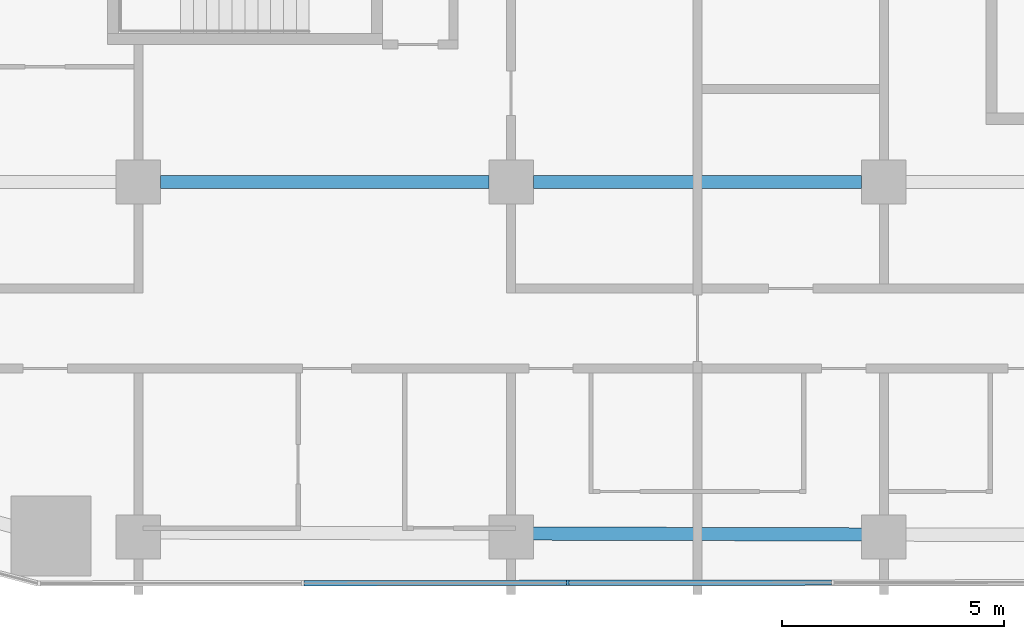
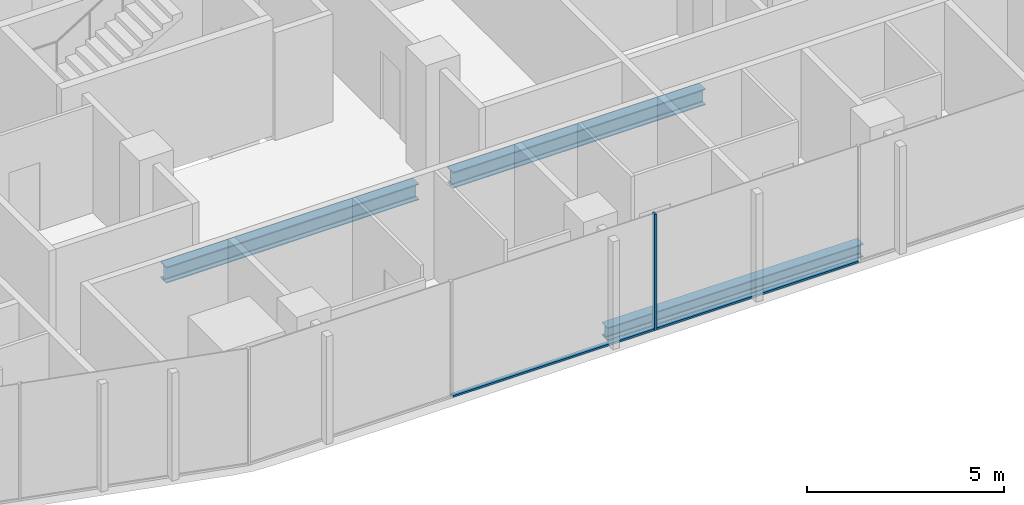
# One storey, part 3 of 26: 3 beams, 3 members, 1 element without a shape of its own.
"""IFC4 building model written with IfcOpenShell, lengths in metres."""

from ifc_helpers import new_model, si_unit, direction, frame, origin, origin_2d, place, context, subcontext, project, spatial, rectangle, i_section, extrude, material, layer, layer_set, material_profile, profile_set, type_object, element, aggregate, save


model = new_model("IFC4")

# Units and contexts
model_context = context("Model", 3, precision=1e-05, world=origin(), true_north=direction((0.0, 1.0)))
body_context = subcontext(model_context, "Body", "Model", "MODEL_VIEW")
ifc_project = project(units=[si_unit("LENGTHUNIT", "METRE"), si_unit("AREAUNIT", "SQUARE_METRE"), si_unit("VOLUMEUNIT", "CUBIC_METRE"), si_unit("PLANEANGLEUNIT", "RADIAN"), si_unit("MASSUNIT", "GRAM", prefix="KILO")], contexts=[model_context])

# Site, building, storey
site_placement = place(None, origin())
site = spatial("IfcSite", under=ifc_project, at=site_placement, CompositionType="ELEMENT")
building_placement = place(site_placement, origin())
building = spatial("IfcBuilding", under=site, at=building_placement, Name="Marenta Gate Hotel Tower", CompositionType="ELEMENT")
storey_placement = place(building_placement, frame((0.0, 0.0, 65.300048828125)))
storey = spatial("IfcBuildingStorey", under=building, at=storey_placement, Name="L14", CompositionType="ELEMENT", Elevation=65.300048828125)

# Beams
ifc_material_1 = material(Name="Steel S355", Category="steel")
ifc_material_profile_1 = material_profile(ifc_material_1, i_section(OverallWidth=0.300048828125, OverallDepth=0.39990234375, WebThickness=0.013427734375, FlangeThickness=0.02392578125, FilletRadius=0.027099609375, at=origin_2d()), Name="HEB 400")
ifc_profile_set_1 = profile_set([ifc_material_profile_1], Name="Steel S355")
beam_type_1 = type_object("IfcBeamType", Name="Edge beam HEB 400", PredefinedType="SPANDREL", material=ifc_profile_set_1)
beam_1_placement = place(storey_placement, frame((3.739990234375, -16.3427734375, -0.4599609375), z_axis=(-0.99999624158, 0.002741683018, 0.0), x_axis=(-0.002741683018, -0.99999624158, 0.0)))
element("IfcBeam", 1, at=beam_1_placement, inside=storey, type_object=beam_type_1, Name="L14-EB-33", PredefinedType="SPANDREL", context=body_context, shape_type="SweptSolid", body=[
    extrude(i_section(OverallWidth=0.300048828125, OverallDepth=0.39990234375, WebThickness=0.013427734375, FlangeThickness=0.02392578125, FilletRadius=0.027099609375, at=origin_2d()), origin(), (0.0, 0.0, 1.0), 7.47998046875),
])
ifc_material_2 = material(Name="Steel S355", Category="steel")
ifc_material_profile_2 = material_profile(ifc_material_2, i_section(OverallWidth=0.300048828125, OverallDepth=0.5, WebThickness=0.014404296875, FlangeThickness=0.028076171875, FilletRadius=0.027099609375, at=origin_2d()), Name="HEB 500")
ifc_profile_set_2 = profile_set([ifc_material_profile_2], Name="Steel S355")
beam_type_2 = type_object("IfcBeamType", Name="Girder HEB 500", PredefinedType="BEAM", material=ifc_profile_set_2)
beam_2_placement = place(storey_placement, frame((-12.10009765625, -8.39990234375, -0.510009765625), z_axis=(1.0, 0.0, 0.0), x_axis=(0.0, 1.0, 0.0)))
element("IfcBeam", 2, at=beam_2_placement, inside=storey, type_object=beam_type_2, Name="L14-GD-3", PredefinedType="BEAM", context=body_context, shape_type="SweptSolid", body=[
    extrude(i_section(OverallWidth=0.300048828125, OverallDepth=0.5, WebThickness=0.014404296875, FlangeThickness=0.028076171875, FilletRadius=0.027099609375, at=origin_2d()), origin(), (0.0, 0.0, 1.0), 7.400146484375),
])
beam_3_placement = place(storey_placement, frame((-3.699951171875, -8.39990234375, -0.510009765625), z_axis=(1.0, 0.0, 0.0), x_axis=(0.0, 1.0, 0.0)))
element("IfcBeam", 3, at=beam_3_placement, inside=storey, type_object=beam_type_2, Name="L14-GD-4", PredefinedType="BEAM", context=body_context, shape_type="SweptSolid", body=[
    extrude(i_section(OverallWidth=0.300048828125, OverallDepth=0.5, WebThickness=0.014404296875, FlangeThickness=0.028076171875, FilletRadius=0.027099609375, at=origin_2d()), origin(), (0.0, 0.0, 1.0), 7.39990234375),
])

# Curtain wall, members
ifc_material_3 = material(Name="Tinted insulated glass in bronze anodised frame", Category="glass")
ifc_layer = layer(ifc_material_3, 0.1201171875)
ifc_layer_set = layer_set([ifc_layer], Name="Tinted insulated glass in bronze anodised frame")
curtain_wall_type = type_object("IfcCurtainWallType", Name="Tower unitised curtain wall CW1", PredefinedType="NOTDEFINED", material=ifc_layer_set)
curtain_wall_placement = place(storey_placement, origin())
curtain_wall = element("IfcCurtainWall", 4, at=curtain_wall_placement, inside=storey, type_object=curtain_wall_type, Name="CW1 run G07", PredefinedType="NOTDEFINED")
ifc_material_4 = material(Name="Bronze anodised aluminium", Category="aluminium")
ifc_material_profile_3 = material_profile(ifc_material_4, rectangle(XDim=0.1201171875, YDim=0.06005859375, at=origin_2d()), Name="Mullion CW1 60x120 bronze anodised aluminium")
ifc_profile_set_3 = profile_set([ifc_material_profile_3], Name="Bronze anodised aluminium")
member_type_1 = type_object("IfcMemberType", Name="Mullion CW1 60x120 bronze anodised aluminium", PredefinedType="MULLION", material=ifc_profile_set_3)
member_1_placement = place(storey_placement, frame((-2.9248046875, -17.433837890625, 0.0), z_axis=(0.0, 0.0, 1.0), x_axis=(-0.001161921639, 0.999999324969, 0.0)))
member_1 = element("IfcMember", 5, at=member_1_placement, type_object=member_type_1, Name="CW1 mullion 3", PredefinedType="MULLION", context=body_context, shape_type="SweptSolid", body=[
    extrude(rectangle(XDim=0.1201171875, YDim=0.06005859375, at=origin_2d()), origin(), (0.0, 0.0, 1.0), 3.599853515625),
])
ifc_material_5 = material(Name="Bronze anodised aluminium", Category="aluminium")
ifc_material_profile_4 = material_profile(ifc_material_5, rectangle(XDim=0.1201171875, YDim=0.06005859375, at=origin_2d()), Name="Transom CW1 60x120 bronze anodised aluminium")
ifc_profile_set_4 = profile_set([ifc_material_profile_4], Name="Bronze anodised aluminium")
member_type_2 = type_object("IfcMemberType", Name="Transom CW1 60x120 bronze anodised aluminium", PredefinedType="USERDEFINED", material=ifc_profile_set_4)
member_2_placement = place(storey_placement, frame((-8.86767578125, -17.44091796875, 0.030029296875), z_axis=(0.999999283109, 0.001197406136, 0.0), x_axis=(-0.001197406136, 0.999999283109, 0.0)))
member_2 = element("IfcMember", 6, at=member_2_placement, type_object=member_type_2, Name="CW1 transom 2.1", ObjectType="TRANSOM", PredefinedType="USERDEFINED", context=body_context, shape_type="SweptSolid", body=[
    extrude(rectangle(XDim=0.1201171875, YDim=0.06005859375, at=origin_2d()), origin(), (0.0, 0.0, 1.0), 5.912841796875),
])
member_3_placement = place(storey_placement, frame((-2.894775390625, -17.433837890625, 0.030029296875), z_axis=(0.999999331697, 0.001156116326, 0.0), x_axis=(-0.001156116326, 0.999999331697, 0.0)))
member_3 = element("IfcMember", 7, at=member_3_placement, type_object=member_type_2, Name="CW1 transom 3.1", ObjectType="TRANSOM", PredefinedType="USERDEFINED", context=body_context, shape_type="SweptSolid", body=[
    extrude(rectangle(XDim=0.1201171875, YDim=0.06005859375, at=origin_2d()), origin(), (0.0, 0.0, 1.0), 5.912841796875),
])
aggregate(curtain_wall, [member_1, member_2, member_3])

save(model, "model.ifc")
